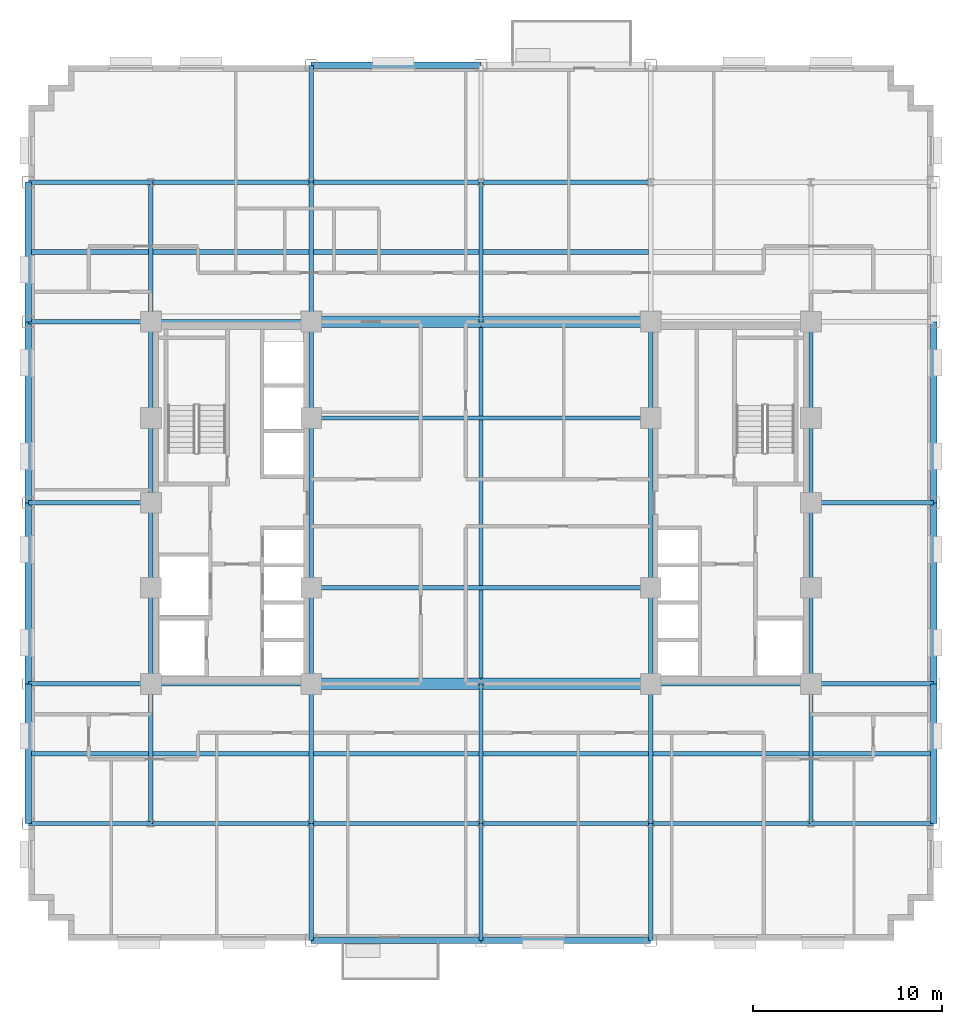
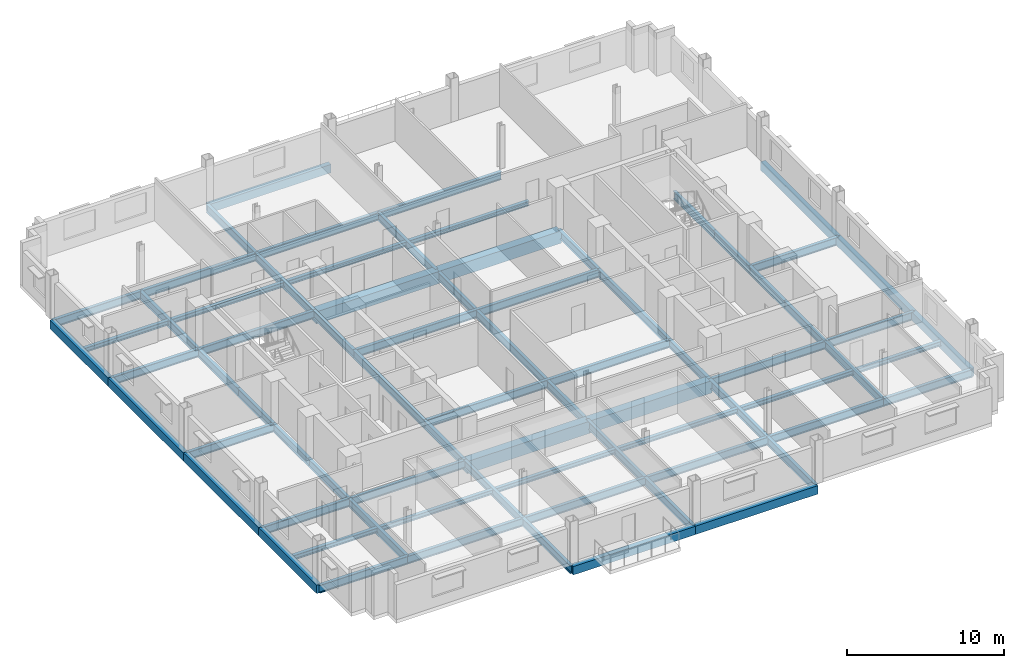
# One storey, part 4 of 14: 71 beams.
"""IFC4 building model written with IfcOpenShell, lengths in metres."""

from ifc_helpers import new_model, si_unit, direction, frame, origin, origin_2d, place, context, subcontext, project, spatial, rectangle, i_section, extrude, material, material_profile, profile_set, type_object, element, save


model = new_model("IFC4")

# Units and contexts
model_context = context("Model", 3, precision=1e-05, world=origin(), true_north=direction((0.0, 1.0)))
body_context = subcontext(model_context, "Body", "Model", "MODEL_VIEW")
ifc_project = project(units=[si_unit("LENGTHUNIT", "METRE"), si_unit("AREAUNIT", "SQUARE_METRE"), si_unit("VOLUMEUNIT", "CUBIC_METRE"), si_unit("PLANEANGLEUNIT", "RADIAN"), si_unit("MASSUNIT", "GRAM", prefix="KILO")], contexts=[model_context])

# Site, building, storey
site_placement = place(None, origin())
site = spatial("IfcSite", under=ifc_project, at=site_placement, CompositionType="ELEMENT")
building_placement = place(site_placement, origin())
building = spatial("IfcBuilding", under=site, at=building_placement, Name="Nuvemarco Arch Tower", CompositionType="ELEMENT")
storey_placement = place(building_placement, frame((0.0, 0.0, 101.949951171875)))
storey = spatial("IfcBuildingStorey", under=building, at=storey_placement, Name="L26", CompositionType="ELEMENT", Elevation=101.949951171875)

# Beams
ifc_material_1 = material(Name="Concrete C60/75", Category="concrete")
ifc_material_profile_1 = material_profile(ifc_material_1, rectangle(XDim=0.60009765625, YDim=0.949951171875, at=origin_2d()), Name="RC-BM-600x950")
ifc_profile_set_1 = profile_set([ifc_material_profile_1], Name="Concrete C60/75")
beam_type_1 = type_object("IfcBeamType", Name="BM-COUP-RC", PredefinedType="LINTEL", material=ifc_profile_set_1)
for number, where, z_axis, x_axis, name in (
    (1, (-9.0, -9.60009765625, -0.7548828125), (1.0, 0.0, 0.0), (0.0, 1.0, 0.0), "L26 structural beam BGEW_L26_0_-9.6_-9.0"),
    (2, (0.0, -9.60009765625, -0.7548828125), (1.0, 0.0, 0.0), (0.0, 1.0, 0.0), "L26 structural beam BGEW_L26_0_-9.6_+0.0"),
    (3, (-9.0, 9.60009765625, -0.7548828125), (1.0, 0.0, 0.0), (0.0, 1.0, 0.0), "L26 structural beam BGEW_L26_0_+9.6_-9.0"),
    (4, (0.0, 9.60009765625, -0.7548828125), (1.0, 0.0, 0.0), (0.0, 1.0, 0.0), "L26 structural beam BGEW_L26_0_+9.6_+0.0"),
):
    element("IfcBeam", number, at=place(storey_placement, frame(where, z_axis=z_axis, x_axis=x_axis)), inside=storey, type_object=beam_type_1, Name=name, PredefinedType="LINTEL", context=body_context, shape_type="SweptSolid", body=[
        extrude(rectangle(XDim=0.60009765625, YDim=0.949951171875, at=origin_2d()), origin(), (0.0, 0.0, 1.0), 9.0),
    ])
ifc_material_2 = material(Name="Steel S355", Category="steel")
ifc_material_profile_2 = material_profile(ifc_material_2, i_section(OverallWidth=0.22998046875, OverallDepth=0.616943359375, WebThickness=0.01318359375, FlangeThickness=0.022216796875, FilletRadius=0.01611328125, at=origin_2d()), Name="W610x140")
ifc_profile_set_2 = profile_set([ifc_material_profile_2], Name="Steel S355")
beam_type_2 = type_object("IfcBeamType", Name="BM-GIRD-610", PredefinedType="BEAM", material=ifc_profile_set_2)
beam_1_placement = place(storey_placement, frame((-17.5, -17.0, -0.58837890625), z_axis=(0.0, 1.0, 0.0), x_axis=(-1.0, 0.0, 0.0)))
element("IfcBeam", 5, at=beam_1_placement, inside=storey, type_object=beam_type_2, Name="L26 structural beam BGNS_L26_0_-17.5_-17.0", PredefinedType="BEAM", context=body_context, shape_type="SweptSolid", body=[
    extrude(i_section(OverallWidth=0.22998046875, OverallDepth=0.616943359375, WebThickness=0.01318359375, FlangeThickness=0.022216796875, FilletRadius=0.01611328125, at=origin_2d()), origin(), (0.0, 0.0, 1.0), 7.39990234375),
])
beam_2_placement = place(storey_placement, frame((-17.5, -9.60009765625, -0.58837890625), z_axis=(0.0, 1.0, 0.0), x_axis=(-1.0, 0.0, 0.0)))
element("IfcBeam", 6, at=beam_2_placement, inside=storey, type_object=beam_type_2, Name="L26 structural beam BGNS_L26_0_-17.5_-9.6", PredefinedType="BEAM", context=body_context, shape_type="SweptSolid", body=[
    extrude(i_section(OverallWidth=0.22998046875, OverallDepth=0.616943359375, WebThickness=0.01318359375, FlangeThickness=0.022216796875, FilletRadius=0.01611328125, at=origin_2d()), origin(), (0.0, 0.0, 1.0), 5.10009765625),
])
for number, where, z_axis, x_axis, name in (
    (7, (-17.5, -4.5, -0.58837890625), (0.0, 1.0, 0.0), (-1.0, 0.0, 0.0), "L26 structural beam BGNS_L26_0_-17.5_-4.5"),
    (8, (-17.5, 0.0, -0.58837890625), (0.0, 1.0, 0.0), (-1.0, 0.0, 0.0), "L26 structural beam BGNS_L26_0_-17.5_+0.0"),
):
    element("IfcBeam", number, at=place(storey_placement, frame(where, z_axis=z_axis, x_axis=x_axis)), inside=storey, type_object=beam_type_2, Name=name, PredefinedType="BEAM", context=body_context, shape_type="SweptSolid", body=[
        extrude(i_section(OverallWidth=0.22998046875, OverallDepth=0.616943359375, WebThickness=0.01318359375, FlangeThickness=0.022216796875, FilletRadius=0.01611328125, at=origin_2d()), origin(), (0.0, 0.0, 1.0), 4.5),
    ])
beam_3_placement = place(storey_placement, frame((-17.5, 4.5, -0.58837890625), z_axis=(0.0, 1.0, 0.0), x_axis=(-1.0, 0.0, 0.0)))
element("IfcBeam", 9, at=beam_3_placement, inside=storey, type_object=beam_type_2, Name="L26 structural beam BGNS_L26_0_-17.5_+4.5", PredefinedType="BEAM", context=body_context, shape_type="SweptSolid", body=[
    extrude(i_section(OverallWidth=0.22998046875, OverallDepth=0.616943359375, WebThickness=0.01318359375, FlangeThickness=0.022216796875, FilletRadius=0.01611328125, at=origin_2d()), origin(), (0.0, 0.0, 1.0), 5.10009765625),
])
beam_4_placement = place(storey_placement, frame((-17.5, 9.60009765625, -0.58837890625), z_axis=(0.0, 1.0, 0.0), x_axis=(-1.0, 0.0, 0.0)))
element("IfcBeam", 10, at=beam_4_placement, inside=storey, type_object=beam_type_2, Name="L26 structural beam BGNS_L26_0_-17.5_+9.6", PredefinedType="BEAM", context=body_context, shape_type="SweptSolid", body=[
    extrude(i_section(OverallWidth=0.22998046875, OverallDepth=0.616943359375, WebThickness=0.01318359375, FlangeThickness=0.022216796875, FilletRadius=0.01611328125, at=origin_2d()), origin(), (0.0, 0.0, 1.0), 7.39990234375),
])
beam_5_placement = place(storey_placement, frame((-9.0, -23.199951171875, -0.58837890625), z_axis=(0.0, 1.0, 0.0), x_axis=(-1.0, 0.0, 0.0)))
element("IfcBeam", 11, at=beam_5_placement, inside=storey, type_object=beam_type_2, Name="L26 structural beam BGNS_L26_0_-9.0_-23.2", PredefinedType="BEAM", context=body_context, shape_type="SweptSolid", body=[
    extrude(i_section(OverallWidth=0.22998046875, OverallDepth=0.616943359375, WebThickness=0.01318359375, FlangeThickness=0.022216796875, FilletRadius=0.01611328125, at=origin_2d()), origin(), (0.0, 0.0, 1.0), 6.199951171875),
])
beam_6_placement = place(storey_placement, frame((-9.0, -17.0, -0.58837890625), z_axis=(0.0, 1.0, 0.0), x_axis=(-1.0, 0.0, 0.0)))
element("IfcBeam", 12, at=beam_6_placement, inside=storey, type_object=beam_type_2, Name="L26 structural beam BGNS_L26_0_-9.0_-17.0", PredefinedType="BEAM", context=body_context, shape_type="SweptSolid", body=[
    extrude(i_section(OverallWidth=0.22998046875, OverallDepth=0.616943359375, WebThickness=0.01318359375, FlangeThickness=0.022216796875, FilletRadius=0.01611328125, at=origin_2d()), origin(), (0.0, 0.0, 1.0), 7.39990234375),
])
beam_7_placement = place(storey_placement, frame((-9.0, -9.60009765625, -0.58837890625), z_axis=(0.0, 1.0, 0.0), x_axis=(-1.0, 0.0, 0.0)))
element("IfcBeam", 13, at=beam_7_placement, inside=storey, type_object=beam_type_2, Name="L26 structural beam BGNS_L26_0_-9.0_-9.6", PredefinedType="BEAM", context=body_context, shape_type="SweptSolid", body=[
    extrude(i_section(OverallWidth=0.22998046875, OverallDepth=0.616943359375, WebThickness=0.01318359375, FlangeThickness=0.022216796875, FilletRadius=0.01611328125, at=origin_2d()), origin(), (0.0, 0.0, 1.0), 5.10009765625),
])
beam_8_placement = place(storey_placement, frame((-9.0, -4.5, -0.58837890625), z_axis=(0.0, 1.0, 0.0), x_axis=(-1.0, 0.0, 0.0)))
element("IfcBeam", 14, at=beam_8_placement, inside=storey, type_object=beam_type_2, Name="L26 structural beam BGNS_L26_0_-9.0_-4.5", PredefinedType="BEAM", context=body_context, shape_type="SweptSolid", body=[
    extrude(i_section(OverallWidth=0.22998046875, OverallDepth=0.616943359375, WebThickness=0.01318359375, FlangeThickness=0.022216796875, FilletRadius=0.01611328125, at=origin_2d()), origin(), (0.0, 0.0, 1.0), 9.0),
])
beam_9_placement = place(storey_placement, frame((-9.0, 4.5, -0.58837890625), z_axis=(0.0, 1.0, 0.0), x_axis=(-1.0, 0.0, 0.0)))
element("IfcBeam", 15, at=beam_9_placement, inside=storey, type_object=beam_type_2, Name="L26 structural beam BGNS_L26_0_-9.0_+4.5", PredefinedType="BEAM", context=body_context, shape_type="SweptSolid", body=[
    extrude(i_section(OverallWidth=0.22998046875, OverallDepth=0.616943359375, WebThickness=0.01318359375, FlangeThickness=0.022216796875, FilletRadius=0.01611328125, at=origin_2d()), origin(), (0.0, 0.0, 1.0), 5.10009765625),
])
beam_10_placement = place(storey_placement, frame((-9.0, 9.60009765625, -0.58837890625), z_axis=(0.0, 1.0, 0.0), x_axis=(-1.0, 0.0, 0.0)))
element("IfcBeam", 16, at=beam_10_placement, inside=storey, type_object=beam_type_2, Name="L26 structural beam BGNS_L26_0_-9.0_+9.6", PredefinedType="BEAM", context=body_context, shape_type="SweptSolid", body=[
    extrude(i_section(OverallWidth=0.22998046875, OverallDepth=0.616943359375, WebThickness=0.01318359375, FlangeThickness=0.022216796875, FilletRadius=0.01611328125, at=origin_2d()), origin(), (0.0, 0.0, 1.0), 7.39990234375),
])
for number, where, z_axis, x_axis, name in (
    (17, (-9.0, 17.0, -0.58837890625), (0.0, 1.0, 0.0), (-1.0, 0.0, 0.0), "L26 structural beam BGNS_L26_0_-9.0_+17.0"),
    (18, (0.0, -23.199951171875, -0.58837890625), (0.0, 1.0, 0.0), (-1.0, 0.0, 0.0), "L26 structural beam BGNS_L26_0_+0.0_-23.2"),
):
    element("IfcBeam", number, at=place(storey_placement, frame(where, z_axis=z_axis, x_axis=x_axis)), inside=storey, type_object=beam_type_2, Name=name, PredefinedType="BEAM", context=body_context, shape_type="SweptSolid", body=[
        extrude(i_section(OverallWidth=0.22998046875, OverallDepth=0.616943359375, WebThickness=0.01318359375, FlangeThickness=0.022216796875, FilletRadius=0.01611328125, at=origin_2d()), origin(), (0.0, 0.0, 1.0), 6.199951171875),
    ])
beam_11_placement = place(storey_placement, frame((0.0, -17.0, -0.58837890625), z_axis=(0.0, 1.0, 0.0), x_axis=(-1.0, 0.0, 0.0)))
element("IfcBeam", 19, at=beam_11_placement, inside=storey, type_object=beam_type_2, Name="L26 structural beam BGNS_L26_0_+0.0_-17.0", PredefinedType="BEAM", context=body_context, shape_type="SweptSolid", body=[
    extrude(i_section(OverallWidth=0.22998046875, OverallDepth=0.616943359375, WebThickness=0.01318359375, FlangeThickness=0.022216796875, FilletRadius=0.01611328125, at=origin_2d()), origin(), (0.0, 0.0, 1.0), 7.39990234375),
])
beam_12_placement = place(storey_placement, frame((0.0, -9.60009765625, -0.58837890625), z_axis=(0.0, 1.0, 0.0), x_axis=(-1.0, 0.0, 0.0)))
element("IfcBeam", 20, at=beam_12_placement, inside=storey, type_object=beam_type_2, Name="L26 structural beam BGNS_L26_0_+0.0_-9.6", PredefinedType="BEAM", context=body_context, shape_type="SweptSolid", body=[
    extrude(i_section(OverallWidth=0.22998046875, OverallDepth=0.616943359375, WebThickness=0.01318359375, FlangeThickness=0.022216796875, FilletRadius=0.01611328125, at=origin_2d()), origin(), (0.0, 0.0, 1.0), 19.2001953125),
])
beam_13_placement = place(storey_placement, frame((0.0, 9.60009765625, -0.58837890625), z_axis=(0.0, 1.0, 0.0), x_axis=(-1.0, 0.0, 0.0)))
element("IfcBeam", 21, at=beam_13_placement, inside=storey, type_object=beam_type_2, Name="L26 structural beam BGNS_L26_0_+0.0_+9.6", PredefinedType="BEAM", context=body_context, shape_type="SweptSolid", body=[
    extrude(i_section(OverallWidth=0.22998046875, OverallDepth=0.616943359375, WebThickness=0.01318359375, FlangeThickness=0.022216796875, FilletRadius=0.01611328125, at=origin_2d()), origin(), (0.0, 0.0, 1.0), 7.39990234375),
])
beam_14_placement = place(storey_placement, frame((9.0, -23.199951171875, -0.58837890625), z_axis=(0.0, 1.0, 0.0), x_axis=(-1.0, 0.0, 0.0)))
element("IfcBeam", 22, at=beam_14_placement, inside=storey, type_object=beam_type_2, Name="L26 structural beam BGNS_L26_0_+9.0_-23.2", PredefinedType="BEAM", context=body_context, shape_type="SweptSolid", body=[
    extrude(i_section(OverallWidth=0.22998046875, OverallDepth=0.616943359375, WebThickness=0.01318359375, FlangeThickness=0.022216796875, FilletRadius=0.01611328125, at=origin_2d()), origin(), (0.0, 0.0, 1.0), 6.199951171875),
])
beam_15_placement = place(storey_placement, frame((9.0, -17.0, -0.58837890625), z_axis=(0.0, 1.0, 0.0), x_axis=(-1.0, 0.0, 0.0)))
element("IfcBeam", 23, at=beam_15_placement, inside=storey, type_object=beam_type_2, Name="L26 structural beam BGNS_L26_0_+9.0_-17.0", PredefinedType="BEAM", context=body_context, shape_type="SweptSolid", body=[
    extrude(i_section(OverallWidth=0.22998046875, OverallDepth=0.616943359375, WebThickness=0.01318359375, FlangeThickness=0.022216796875, FilletRadius=0.01611328125, at=origin_2d()), origin(), (0.0, 0.0, 1.0), 7.39990234375),
])
beam_16_placement = place(storey_placement, frame((9.0, -9.60009765625, -0.58837890625), z_axis=(0.0, 1.0, 0.0), x_axis=(-1.0, 0.0, 0.0)))
element("IfcBeam", 24, at=beam_16_placement, inside=storey, type_object=beam_type_2, Name="L26 structural beam BGNS_L26_0_+9.0_-9.6", PredefinedType="BEAM", context=body_context, shape_type="SweptSolid", body=[
    extrude(i_section(OverallWidth=0.22998046875, OverallDepth=0.616943359375, WebThickness=0.01318359375, FlangeThickness=0.022216796875, FilletRadius=0.01611328125, at=origin_2d()), origin(), (0.0, 0.0, 1.0), 5.10009765625),
])
beam_17_placement = place(storey_placement, frame((9.0, -4.5, -0.58837890625), z_axis=(0.0, 1.0, 0.0), x_axis=(-1.0, 0.0, 0.0)))
element("IfcBeam", 25, at=beam_17_placement, inside=storey, type_object=beam_type_2, Name="L26 structural beam BGNS_L26_0_+9.0_-4.5", PredefinedType="BEAM", context=body_context, shape_type="SweptSolid", body=[
    extrude(i_section(OverallWidth=0.22998046875, OverallDepth=0.616943359375, WebThickness=0.01318359375, FlangeThickness=0.022216796875, FilletRadius=0.01611328125, at=origin_2d()), origin(), (0.0, 0.0, 1.0), 9.0),
])
beam_18_placement = place(storey_placement, frame((9.0, 4.5, -0.58837890625), z_axis=(0.0, 1.0, 0.0), x_axis=(-1.0, 0.0, 0.0)))
element("IfcBeam", 26, at=beam_18_placement, inside=storey, type_object=beam_type_2, Name="L26 structural beam BGNS_L26_0_+9.0_+4.5", PredefinedType="BEAM", context=body_context, shape_type="SweptSolid", body=[
    extrude(i_section(OverallWidth=0.22998046875, OverallDepth=0.616943359375, WebThickness=0.01318359375, FlangeThickness=0.022216796875, FilletRadius=0.01611328125, at=origin_2d()), origin(), (0.0, 0.0, 1.0), 5.10009765625),
])
beam_19_placement = place(storey_placement, frame((17.5, -17.0, -0.58837890625), z_axis=(0.0, 1.0, 0.0), x_axis=(-1.0, 0.0, 0.0)))
element("IfcBeam", 27, at=beam_19_placement, inside=storey, type_object=beam_type_2, Name="L26 structural beam BGNS_L26_0_+17.5_-17.0", PredefinedType="BEAM", context=body_context, shape_type="SweptSolid", body=[
    extrude(i_section(OverallWidth=0.22998046875, OverallDepth=0.616943359375, WebThickness=0.01318359375, FlangeThickness=0.022216796875, FilletRadius=0.01611328125, at=origin_2d()), origin(), (0.0, 0.0, 1.0), 7.39990234375),
])
beam_20_placement = place(storey_placement, frame((17.5, -9.60009765625, -0.58837890625), z_axis=(0.0, 1.0, 0.0), x_axis=(-1.0, 0.0, 0.0)))
element("IfcBeam", 28, at=beam_20_placement, inside=storey, type_object=beam_type_2, Name="L26 structural beam BGNS_L26_0_+17.5_-9.6", PredefinedType="BEAM", context=body_context, shape_type="SweptSolid", body=[
    extrude(i_section(OverallWidth=0.22998046875, OverallDepth=0.616943359375, WebThickness=0.01318359375, FlangeThickness=0.022216796875, FilletRadius=0.01611328125, at=origin_2d()), origin(), (0.0, 0.0, 1.0), 5.10009765625),
])
for number, where, z_axis, x_axis, name in (
    (29, (17.5, -4.5, -0.58837890625), (0.0, 1.0, 0.0), (-1.0, 0.0, 0.0), "L26 structural beam BGNS_L26_0_+17.5_-4.5"),
    (30, (17.5, 0.0, -0.58837890625), (0.0, 1.0, 0.0), (-1.0, 0.0, 0.0), "L26 structural beam BGNS_L26_0_+17.5_+0.0"),
):
    element("IfcBeam", number, at=place(storey_placement, frame(where, z_axis=z_axis, x_axis=x_axis)), inside=storey, type_object=beam_type_2, Name=name, PredefinedType="BEAM", context=body_context, shape_type="SweptSolid", body=[
        extrude(i_section(OverallWidth=0.22998046875, OverallDepth=0.616943359375, WebThickness=0.01318359375, FlangeThickness=0.022216796875, FilletRadius=0.01611328125, at=origin_2d()), origin(), (0.0, 0.0, 1.0), 4.5),
    ])
beam_21_placement = place(storey_placement, frame((17.5, 4.5, -0.58837890625), z_axis=(0.0, 1.0, 0.0), x_axis=(-1.0, 0.0, 0.0)))
element("IfcBeam", 31, at=beam_21_placement, inside=storey, type_object=beam_type_2, Name="L26 structural beam BGNS_L26_0_+17.5_+4.5", PredefinedType="BEAM", context=body_context, shape_type="SweptSolid", body=[
    extrude(i_section(OverallWidth=0.22998046875, OverallDepth=0.616943359375, WebThickness=0.01318359375, FlangeThickness=0.022216796875, FilletRadius=0.01611328125, at=origin_2d()), origin(), (0.0, 0.0, 1.0), 5.10009765625),
])
beam_22_placement = place(storey_placement, frame((-24.0, -17.0, -0.58837890625), z_axis=(1.0, 0.0, 0.0), x_axis=(0.0, 1.0, 0.0)))
element("IfcBeam", 32, at=beam_22_placement, inside=storey, type_object=beam_type_2, Name="L26 structural beam BGEW_L26_0_-17.0_-24.0", PredefinedType="BEAM", context=body_context, shape_type="SweptSolid", body=[
    extrude(i_section(OverallWidth=0.22998046875, OverallDepth=0.616943359375, WebThickness=0.01318359375, FlangeThickness=0.022216796875, FilletRadius=0.01611328125, at=origin_2d()), origin(), (0.0, 0.0, 1.0), 6.5),
])
beam_23_placement = place(storey_placement, frame((-17.5, -17.0, -0.58837890625), z_axis=(1.0, 0.0, 0.0), x_axis=(0.0, 1.0, 0.0)))
element("IfcBeam", 33, at=beam_23_placement, inside=storey, type_object=beam_type_2, Name="L26 structural beam BGEW_L26_0_-17.0_-17.5", PredefinedType="BEAM", context=body_context, shape_type="SweptSolid", body=[
    extrude(i_section(OverallWidth=0.22998046875, OverallDepth=0.616943359375, WebThickness=0.01318359375, FlangeThickness=0.022216796875, FilletRadius=0.01611328125, at=origin_2d()), origin(), (0.0, 0.0, 1.0), 8.5),
])
for number, where, z_axis, x_axis, name in (
    (34, (-9.0, -17.0, -0.58837890625), (1.0, 0.0, 0.0), (0.0, 1.0, 0.0), "L26 structural beam BGEW_L26_0_-17.0_-9.0"),
    (35, (0.0, -17.0, -0.58837890625), (1.0, 0.0, 0.0), (0.0, 1.0, 0.0), "L26 structural beam BGEW_L26_0_-17.0_+0.0"),
):
    element("IfcBeam", number, at=place(storey_placement, frame(where, z_axis=z_axis, x_axis=x_axis)), inside=storey, type_object=beam_type_2, Name=name, PredefinedType="BEAM", context=body_context, shape_type="SweptSolid", body=[
        extrude(i_section(OverallWidth=0.22998046875, OverallDepth=0.616943359375, WebThickness=0.01318359375, FlangeThickness=0.022216796875, FilletRadius=0.01611328125, at=origin_2d()), origin(), (0.0, 0.0, 1.0), 9.0),
    ])
beam_24_placement = place(storey_placement, frame((9.0, -17.0, -0.58837890625), z_axis=(1.0, 0.0, 0.0), x_axis=(0.0, 1.0, 0.0)))
element("IfcBeam", 36, at=beam_24_placement, inside=storey, type_object=beam_type_2, Name="L26 structural beam BGEW_L26_0_-17.0_+9.0", PredefinedType="BEAM", context=body_context, shape_type="SweptSolid", body=[
    extrude(i_section(OverallWidth=0.22998046875, OverallDepth=0.616943359375, WebThickness=0.01318359375, FlangeThickness=0.022216796875, FilletRadius=0.01611328125, at=origin_2d()), origin(), (0.0, 0.0, 1.0), 8.5),
])
for number, where, z_axis, x_axis, name in (
    (37, (17.5, -17.0, -0.58837890625), (1.0, 0.0, 0.0), (0.0, 1.0, 0.0), "L26 structural beam BGEW_L26_0_-17.0_+17.5"),
    (38, (-24.0, -9.60009765625, -0.58837890625), (1.0, 0.0, 0.0), (0.0, 1.0, 0.0), "L26 structural beam BGEW_L26_0_-9.6_-24.0"),
):
    element("IfcBeam", number, at=place(storey_placement, frame(where, z_axis=z_axis, x_axis=x_axis)), inside=storey, type_object=beam_type_2, Name=name, PredefinedType="BEAM", context=body_context, shape_type="SweptSolid", body=[
        extrude(i_section(OverallWidth=0.22998046875, OverallDepth=0.616943359375, WebThickness=0.01318359375, FlangeThickness=0.022216796875, FilletRadius=0.01611328125, at=origin_2d()), origin(), (0.0, 0.0, 1.0), 6.5),
    ])
for number, where, z_axis, x_axis, name in (
    (39, (-17.5, -9.60009765625, -0.58837890625), (1.0, 0.0, 0.0), (0.0, 1.0, 0.0), "L26 structural beam BGEW_L26_0_-9.6_-17.5"),
    (40, (9.0, -9.60009765625, -0.58837890625), (1.0, 0.0, 0.0), (0.0, 1.0, 0.0), "L26 structural beam BGEW_L26_0_-9.6_+9.0"),
):
    element("IfcBeam", number, at=place(storey_placement, frame(where, z_axis=z_axis, x_axis=x_axis)), inside=storey, type_object=beam_type_2, Name=name, PredefinedType="BEAM", context=body_context, shape_type="SweptSolid", body=[
        extrude(i_section(OverallWidth=0.22998046875, OverallDepth=0.616943359375, WebThickness=0.01318359375, FlangeThickness=0.022216796875, FilletRadius=0.01611328125, at=origin_2d()), origin(), (0.0, 0.0, 1.0), 8.5),
    ])
beam_25_placement = place(storey_placement, frame((17.5, -9.60009765625, -0.58837890625), z_axis=(1.0, 0.0, 0.0), x_axis=(0.0, 1.0, 0.0)))
element("IfcBeam", 41, at=beam_25_placement, inside=storey, type_object=beam_type_2, Name="L26 structural beam BGEW_L26_0_-9.6_+17.5", PredefinedType="BEAM", context=body_context, shape_type="SweptSolid", body=[
    extrude(i_section(OverallWidth=0.22998046875, OverallDepth=0.616943359375, WebThickness=0.01318359375, FlangeThickness=0.022216796875, FilletRadius=0.01611328125, at=origin_2d()), origin(), (0.0, 0.0, 1.0), 6.5),
])
beam_26_placement = place(storey_placement, frame((-9.0, -4.5, -0.58837890625), z_axis=(1.0, 0.0, 0.0), x_axis=(0.0, 1.0, 0.0)))
element("IfcBeam", 42, at=beam_26_placement, inside=storey, type_object=beam_type_2, Name="L26 structural beam BGEW_L26_0_-4.5_-9.0", PredefinedType="BEAM", context=body_context, shape_type="SweptSolid", body=[
    extrude(i_section(OverallWidth=0.22998046875, OverallDepth=0.616943359375, WebThickness=0.01318359375, FlangeThickness=0.022216796875, FilletRadius=0.01611328125, at=origin_2d()), origin(), (0.0, 0.0, 1.0), 18.0),
])
for number, where, z_axis, x_axis, name in (
    (43, (-24.0, 0.0, -0.58837890625), (1.0, 0.0, 0.0), (0.0, 1.0, 0.0), "L26 structural beam BGEW_L26_0_+0.0_-24.0"),
    (44, (17.5, 0.0, -0.58837890625), (1.0, 0.0, 0.0), (0.0, 1.0, 0.0), "L26 structural beam BGEW_L26_0_+0.0_+17.5"),
):
    element("IfcBeam", number, at=place(storey_placement, frame(where, z_axis=z_axis, x_axis=x_axis)), inside=storey, type_object=beam_type_2, Name=name, PredefinedType="BEAM", context=body_context, shape_type="SweptSolid", body=[
        extrude(i_section(OverallWidth=0.22998046875, OverallDepth=0.616943359375, WebThickness=0.01318359375, FlangeThickness=0.022216796875, FilletRadius=0.01611328125, at=origin_2d()), origin(), (0.0, 0.0, 1.0), 6.5),
    ])
beam_27_placement = place(storey_placement, frame((-9.0, 4.5, -0.58837890625), z_axis=(1.0, 0.0, 0.0), x_axis=(0.0, 1.0, 0.0)))
element("IfcBeam", 45, at=beam_27_placement, inside=storey, type_object=beam_type_2, Name="L26 structural beam BGEW_L26_0_+4.5_-9.0", PredefinedType="BEAM", context=body_context, shape_type="SweptSolid", body=[
    extrude(i_section(OverallWidth=0.22998046875, OverallDepth=0.616943359375, WebThickness=0.01318359375, FlangeThickness=0.022216796875, FilletRadius=0.01611328125, at=origin_2d()), origin(), (0.0, 0.0, 1.0), 18.0),
])
beam_28_placement = place(storey_placement, frame((-24.0, 9.60009765625, -0.58837890625), z_axis=(1.0, 0.0, 0.0), x_axis=(0.0, 1.0, 0.0)))
element("IfcBeam", 46, at=beam_28_placement, inside=storey, type_object=beam_type_2, Name="L26 structural beam BGEW_L26_0_+9.6_-24.0", PredefinedType="BEAM", context=body_context, shape_type="SweptSolid", body=[
    extrude(i_section(OverallWidth=0.22998046875, OverallDepth=0.616943359375, WebThickness=0.01318359375, FlangeThickness=0.022216796875, FilletRadius=0.01611328125, at=origin_2d()), origin(), (0.0, 0.0, 1.0), 6.5),
])
beam_29_placement = place(storey_placement, frame((-17.5, 9.60009765625, -0.58837890625), z_axis=(1.0, 0.0, 0.0), x_axis=(0.0, 1.0, 0.0)))
element("IfcBeam", 47, at=beam_29_placement, inside=storey, type_object=beam_type_2, Name="L26 structural beam BGEW_L26_0_+9.6_-17.5", PredefinedType="BEAM", context=body_context, shape_type="SweptSolid", body=[
    extrude(i_section(OverallWidth=0.22998046875, OverallDepth=0.616943359375, WebThickness=0.01318359375, FlangeThickness=0.022216796875, FilletRadius=0.01611328125, at=origin_2d()), origin(), (0.0, 0.0, 1.0), 8.5),
])
beam_30_placement = place(storey_placement, frame((-24.0, 17.0, -0.58837890625), z_axis=(1.0, 0.0, 0.0), x_axis=(0.0, 1.0, 0.0)))
element("IfcBeam", 48, at=beam_30_placement, inside=storey, type_object=beam_type_2, Name="L26 structural beam BGEW_L26_0_+17.0_-24.0", PredefinedType="BEAM", context=body_context, shape_type="SweptSolid", body=[
    extrude(i_section(OverallWidth=0.22998046875, OverallDepth=0.616943359375, WebThickness=0.01318359375, FlangeThickness=0.022216796875, FilletRadius=0.01611328125, at=origin_2d()), origin(), (0.0, 0.0, 1.0), 6.5),
])
beam_31_placement = place(storey_placement, frame((-17.5, 17.0, -0.58837890625), z_axis=(1.0, 0.0, 0.0), x_axis=(0.0, 1.0, 0.0)))
element("IfcBeam", 49, at=beam_31_placement, inside=storey, type_object=beam_type_2, Name="L26 structural beam BGEW_L26_0_+17.0_-17.5", PredefinedType="BEAM", context=body_context, shape_type="SweptSolid", body=[
    extrude(i_section(OverallWidth=0.22998046875, OverallDepth=0.616943359375, WebThickness=0.01318359375, FlangeThickness=0.022216796875, FilletRadius=0.01611328125, at=origin_2d()), origin(), (0.0, 0.0, 1.0), 8.5),
])
for number, where, z_axis, x_axis, name in (
    (50, (-9.0, 17.0, -0.58837890625), (1.0, 0.0, 0.0), (0.0, 1.0, 0.0), "L26 structural beam BGEW_L26_0_+17.0_-9.0"),
    (51, (0.0, 17.0, -0.58837890625), (1.0, 0.0, 0.0), (0.0, 1.0, 0.0), "L26 structural beam BGEW_L26_0_+17.0_+0.0"),
):
    element("IfcBeam", number, at=place(storey_placement, frame(where, z_axis=z_axis, x_axis=x_axis)), inside=storey, type_object=beam_type_2, Name=name, PredefinedType="BEAM", context=body_context, shape_type="SweptSolid", body=[
        extrude(i_section(OverallWidth=0.22998046875, OverallDepth=0.616943359375, WebThickness=0.01318359375, FlangeThickness=0.022216796875, FilletRadius=0.01611328125, at=origin_2d()), origin(), (0.0, 0.0, 1.0), 9.0),
    ])
ifc_material_profile_3 = material_profile(ifc_material_2, i_section(OverallWidth=0.2548828125, OverallDepth=0.35693359375, WebThickness=0.010498046875, FlangeThickness=0.018310546875, FilletRadius=0.014892578125, at=origin_2d()), Name="W360x101")
ifc_profile_set_3 = profile_set([ifc_material_profile_3], Name="Steel S355")
beam_type_3 = type_object("IfcBeamType", Name="BM-JOIST-360H", PredefinedType="JOIST", material=ifc_profile_set_3)
beam_32_placement = place(storey_placement, frame((-23.824951171875, -13.300048828125, -0.45849609375), z_axis=(1.0, 0.0, 0.0), x_axis=(0.0, 1.0, 0.0)))
element("IfcBeam", 52, at=beam_32_placement, inside=storey, type_object=beam_type_3, Name="L26 structural beam BJ_L26_0_-13.3_-24.0", PredefinedType="JOIST", context=body_context, shape_type="SweptSolid", body=[
    extrude(i_section(OverallWidth=0.2548828125, OverallDepth=0.35693359375, WebThickness=0.010498046875, FlangeThickness=0.018310546875, FilletRadius=0.014892578125, at=origin_2d()), origin(), (0.0, 0.0, 1.0), 6.2099609375),
])
beam_33_placement = place(storey_placement, frame((-17.385009765625, -13.300048828125, -0.45849609375), z_axis=(1.0, 0.0, 0.0), x_axis=(0.0, 1.0, 0.0)))
element("IfcBeam", 53, at=beam_33_placement, inside=storey, type_object=beam_type_3, Name="L26 structural beam BJ_L26_0_-13.3_-17.5", PredefinedType="JOIST", context=body_context, shape_type="SweptSolid", body=[
    extrude(i_section(OverallWidth=0.2548828125, OverallDepth=0.35693359375, WebThickness=0.010498046875, FlangeThickness=0.018310546875, FilletRadius=0.014892578125, at=origin_2d()), origin(), (0.0, 0.0, 1.0), 8.27001953125),
])
for number, where, z_axis, x_axis, name in (
    (54, (-8.885009765625, -13.300048828125, -0.45849609375), (1.0, 0.0, 0.0), (0.0, 1.0, 0.0), "L26 structural beam BJ_L26_0_-13.3_-9.0"),
    (55, (0.114990234375, -13.300048828125, -0.45849609375), (1.0, 0.0, 0.0), (0.0, 1.0, 0.0), "L26 structural beam BJ_L26_0_-13.3_+0.0"),
):
    element("IfcBeam", number, at=place(storey_placement, frame(where, z_axis=z_axis, x_axis=x_axis)), inside=storey, type_object=beam_type_3, Name=name, PredefinedType="JOIST", context=body_context, shape_type="SweptSolid", body=[
        extrude(i_section(OverallWidth=0.2548828125, OverallDepth=0.35693359375, WebThickness=0.010498046875, FlangeThickness=0.018310546875, FilletRadius=0.014892578125, at=origin_2d()), origin(), (0.0, 0.0, 1.0), 8.77001953125),
    ])
beam_34_placement = place(storey_placement, frame((9.114990234375, -13.300048828125, -0.45849609375), z_axis=(1.0, 0.0, 0.0), x_axis=(0.0, 1.0, 0.0)))
element("IfcBeam", 56, at=beam_34_placement, inside=storey, type_object=beam_type_3, Name="L26 structural beam BJ_L26_0_-13.3_+9.0", PredefinedType="JOIST", context=body_context, shape_type="SweptSolid", body=[
    extrude(i_section(OverallWidth=0.2548828125, OverallDepth=0.35693359375, WebThickness=0.010498046875, FlangeThickness=0.018310546875, FilletRadius=0.014892578125, at=origin_2d()), origin(), (0.0, 0.0, 1.0), 8.27001953125),
])
for number, where, z_axis, x_axis, name in (
    (57, (17.614990234375, -13.300048828125, -0.45849609375), (1.0, 0.0, 0.0), (0.0, 1.0, 0.0), "L26 structural beam BJ_L26_0_-13.3_+17.5"),
    (58, (-23.824951171875, 13.300048828125, -0.45849609375), (1.0, 0.0, 0.0), (0.0, 1.0, 0.0), "L26 structural beam BJ_L26_0_+13.3_-24.0"),
):
    element("IfcBeam", number, at=place(storey_placement, frame(where, z_axis=z_axis, x_axis=x_axis)), inside=storey, type_object=beam_type_3, Name=name, PredefinedType="JOIST", context=body_context, shape_type="SweptSolid", body=[
        extrude(i_section(OverallWidth=0.2548828125, OverallDepth=0.35693359375, WebThickness=0.010498046875, FlangeThickness=0.018310546875, FilletRadius=0.014892578125, at=origin_2d()), origin(), (0.0, 0.0, 1.0), 6.2099609375),
    ])
beam_35_placement = place(storey_placement, frame((-17.385009765625, 13.300048828125, -0.45849609375), z_axis=(1.0, 0.0, 0.0), x_axis=(0.0, 1.0, 0.0)))
element("IfcBeam", 59, at=beam_35_placement, inside=storey, type_object=beam_type_3, Name="L26 structural beam BJ_L26_0_+13.3_-17.5", PredefinedType="JOIST", context=body_context, shape_type="SweptSolid", body=[
    extrude(i_section(OverallWidth=0.2548828125, OverallDepth=0.35693359375, WebThickness=0.010498046875, FlangeThickness=0.018310546875, FilletRadius=0.014892578125, at=origin_2d()), origin(), (0.0, 0.0, 1.0), 8.27001953125),
])
for number, where, z_axis, x_axis, name in (
    (60, (-8.885009765625, 13.300048828125, -0.45849609375), (1.0, 0.0, 0.0), (0.0, 1.0, 0.0), "L26 structural beam BJ_L26_0_+13.3_-9.0"),
    (61, (0.114990234375, 13.300048828125, -0.45849609375), (1.0, 0.0, 0.0), (0.0, 1.0, 0.0), "L26 structural beam BJ_L26_0_+13.3_+0.0"),
):
    element("IfcBeam", number, at=place(storey_placement, frame(where, z_axis=z_axis, x_axis=x_axis)), inside=storey, type_object=beam_type_3, Name=name, PredefinedType="JOIST", context=body_context, shape_type="SweptSolid", body=[
        extrude(i_section(OverallWidth=0.2548828125, OverallDepth=0.35693359375, WebThickness=0.010498046875, FlangeThickness=0.018310546875, FilletRadius=0.014892578125, at=origin_2d()), origin(), (0.0, 0.0, 1.0), 8.77001953125),
    ])
ifc_material_3 = material(Name="Precast concrete C45/55", Category="concrete")
ifc_material_profile_4 = material_profile(ifc_material_3, rectangle(XDim=0.35009765625, YDim=0.64990234375, at=origin_2d()), Name="PC-SP-350x650")
ifc_profile_set_4 = profile_set([ifc_material_profile_4], Name="Precast concrete C45/55")
beam_type_4 = type_object("IfcBeamType", Name="BM-SPAN-RC", PredefinedType="SPANDREL", material=ifc_profile_set_4)
beam_36_placement = place(storey_placement, frame((-24.0, -17.0, -0.60498046875), z_axis=(0.0, 1.0, 0.0), x_axis=(-1.0, 0.0, 0.0)))
element("IfcBeam", 62, at=beam_36_placement, inside=storey, type_object=beam_type_4, Name="L26 structural beam BGNS_L26_0_-24.0_-17.0", PredefinedType="SPANDREL", context=body_context, shape_type="SweptSolid", body=[
    extrude(rectangle(XDim=0.35009765625, YDim=0.64990234375, at=origin_2d()), origin(), (0.0, 0.0, 1.0), 7.39990234375),
])
for number, where, z_axis, x_axis, name in (
    (63, (-24.0, -9.60009765625, -0.60498046875), (0.0, 1.0, 0.0), (-1.0, 0.0, 0.0), "L26 structural beam BGNS_L26_0_-24.0_-9.6"),
    (64, (-24.0, 0.0, -0.60498046875), (0.0, 1.0, 0.0), (-1.0, 0.0, 0.0), "L26 structural beam BGNS_L26_0_-24.0_+0.0"),
):
    element("IfcBeam", number, at=place(storey_placement, frame(where, z_axis=z_axis, x_axis=x_axis)), inside=storey, type_object=beam_type_4, Name=name, PredefinedType="SPANDREL", context=body_context, shape_type="SweptSolid", body=[
        extrude(rectangle(XDim=0.35009765625, YDim=0.64990234375, at=origin_2d()), origin(), (0.0, 0.0, 1.0), 9.60009765625),
    ])
for number, where, z_axis, x_axis, name in (
    (65, (-24.0, 9.60009765625, -0.60498046875), (0.0, 1.0, 0.0), (-1.0, 0.0, 0.0), "L26 structural beam BGNS_L26_0_-24.0_+9.6"),
    (66, (24.0, -17.0, -0.60498046875), (0.0, 1.0, 0.0), (-1.0, 0.0, 0.0), "L26 structural beam BGNS_L26_0_+24.0_-17.0"),
):
    element("IfcBeam", number, at=place(storey_placement, frame(where, z_axis=z_axis, x_axis=x_axis)), inside=storey, type_object=beam_type_4, Name=name, PredefinedType="SPANDREL", context=body_context, shape_type="SweptSolid", body=[
        extrude(rectangle(XDim=0.35009765625, YDim=0.64990234375, at=origin_2d()), origin(), (0.0, 0.0, 1.0), 7.39990234375),
    ])
for number, where, z_axis, x_axis, name in (
    (67, (24.0, -9.60009765625, -0.60498046875), (0.0, 1.0, 0.0), (-1.0, 0.0, 0.0), "L26 structural beam BGNS_L26_0_+24.0_-9.6"),
    (68, (24.0, 0.0, -0.60498046875), (0.0, 1.0, 0.0), (-1.0, 0.0, 0.0), "L26 structural beam BGNS_L26_0_+24.0_+0.0"),
):
    element("IfcBeam", number, at=place(storey_placement, frame(where, z_axis=z_axis, x_axis=x_axis)), inside=storey, type_object=beam_type_4, Name=name, PredefinedType="SPANDREL", context=body_context, shape_type="SweptSolid", body=[
        extrude(rectangle(XDim=0.35009765625, YDim=0.64990234375, at=origin_2d()), origin(), (0.0, 0.0, 1.0), 9.60009765625),
    ])
for number, where, z_axis, x_axis, name in (
    (69, (-9.0, -23.199951171875, -0.60498046875), (1.0, 0.0, 0.0), (0.0, 1.0, 0.0), "L26 structural beam BGEW_L26_0_-23.2_-9.0"),
    (70, (0.0, -23.199951171875, -0.60498046875), (1.0, 0.0, 0.0), (0.0, 1.0, 0.0), "L26 structural beam BGEW_L26_0_-23.2_+0.0"),
    (71, (-9.0, 23.199951171875, -0.60498046875), (1.0, 0.0, 0.0), (0.0, 1.0, 0.0), "L26 structural beam BGEW_L26_0_+23.2_-9.0"),
):
    element("IfcBeam", number, at=place(storey_placement, frame(where, z_axis=z_axis, x_axis=x_axis)), inside=storey, type_object=beam_type_4, Name=name, PredefinedType="SPANDREL", context=body_context, shape_type="SweptSolid", body=[
        extrude(rectangle(XDim=0.35009765625, YDim=0.64990234375, at=origin_2d()), origin(), (0.0, 0.0, 1.0), 9.0),
    ])

save(model, "model.ifc")
